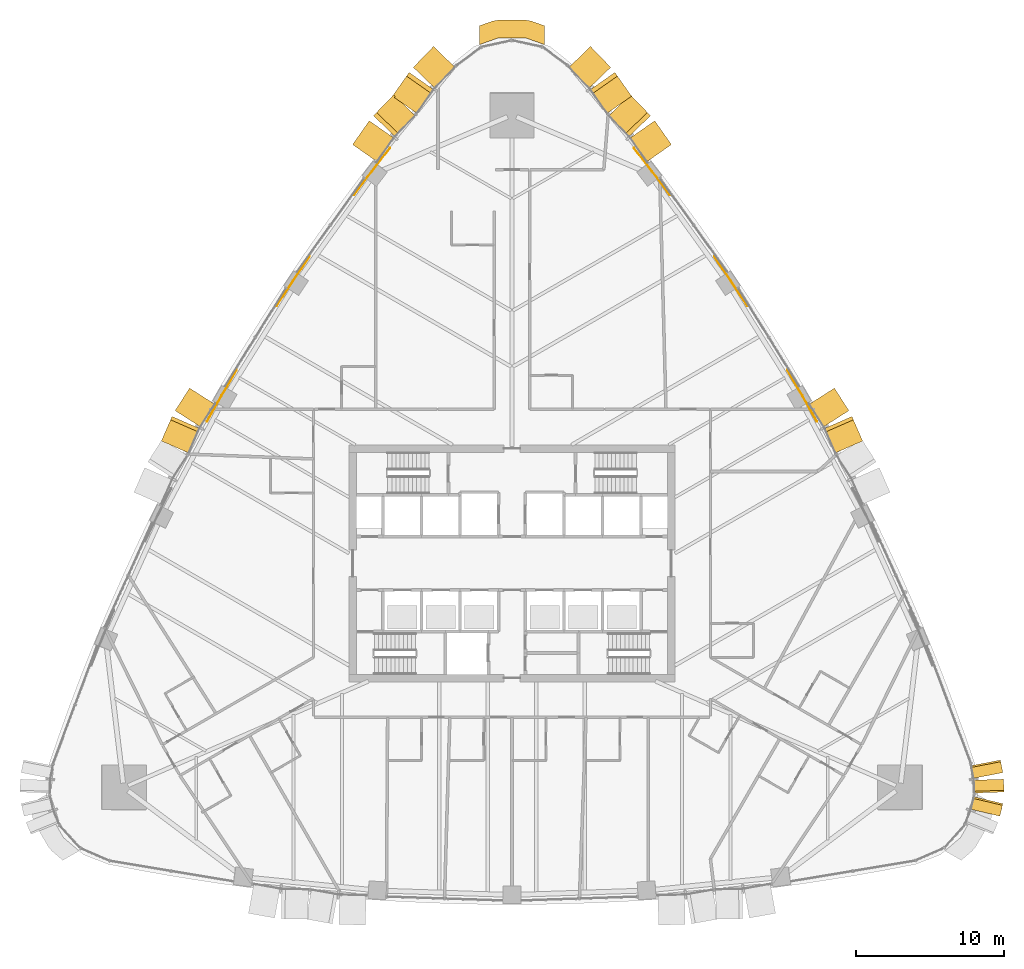
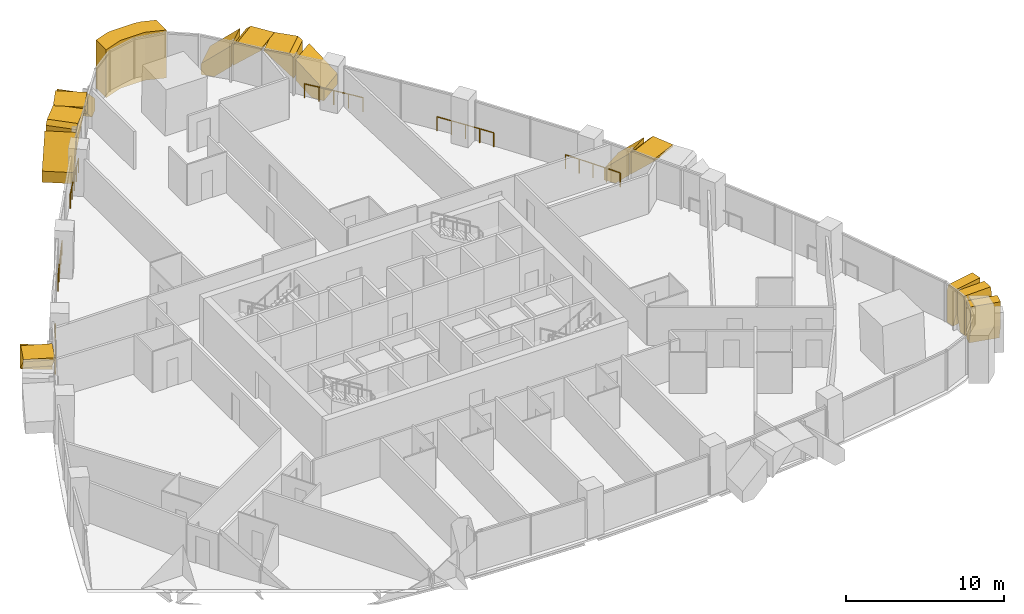
# One storey, part 17 of 18: 16 coverings, 6 railings.
"""IFC4 building model written with IfcOpenShell, lengths in metres."""

from ifc_helpers import new_model, si_unit, direction, frame, origin, origin_2d, place, context, subcontext, project, spatial, polyline, circle, outline, extrude, material, layer, layer_set, type_object, element, save


model = new_model("IFC4")

# Units and contexts
model_context = context("Model", 3, precision=1e-05, world=origin(), true_north=direction((0.0, 1.0)))
body_context = subcontext(model_context, "Body", "Model", "MODEL_VIEW")
ifc_project = project(units=[si_unit("LENGTHUNIT", "METRE"), si_unit("AREAUNIT", "SQUARE_METRE"), si_unit("VOLUMEUNIT", "CUBIC_METRE"), si_unit("PLANEANGLEUNIT", "RADIAN"), si_unit("MASSUNIT", "GRAM", prefix="KILO")], contexts=[model_context])

# Site, building, storey
site_placement = place(None, origin())
site = spatial("IfcSite", under=ifc_project, at=site_placement, CompositionType="ELEMENT")
building_placement = place(site_placement, origin())
building = spatial("IfcBuilding", under=site, at=building_placement, Name="Sierra Prisma Convention Tower", CompositionType="ELEMENT")
storey_placement = place(building_placement, frame((0.0, 0.0, 81.300048828125)))
storey = spatial("IfcBuildingStorey", under=building, at=storey_placement, Name="L16", CompositionType="ELEMENT", Elevation=81.300048828125)

# Coverings
ifc_material_1 = material(Name="Aluminium composite bronze anodised", Category="aluminium")
ifc_layer_1 = layer(ifc_material_1, 1.199951171875)
ifc_layer_set_1 = layer_set([ifc_layer_1], Name="Bronze corner pier")
covering_type_1 = type_object("IfcCoveringType", Name="Bronze corner pier", PredefinedType="CLADDING", material=ifc_layer_set_1)
covering_1_placement = place(storey_placement, frame((0.0, 0.0, -0.60009765625)))
element("IfcCovering", 1, at=covering_1_placement, inside=storey, type_object=covering_type_1, Name="Corner pier N L16.1", PredefinedType="CLADDING", context=body_context, shape_type="SweptSolid", body=[
    extrude(outline(polyline([(-1.2919921875, 36.621826171875), (-0.892578125, 36.690185546875), (0.892578125, 36.690185546875), (1.2919921875, 36.621826171875), (2.199951171875, 36.301513671875), (2.199951171875, 35.02880859375), (0.892578125, 35.490234375), (-0.892578125, 35.490234375), (-2.199951171875, 35.02880859375), (-2.199951171875, 36.301513671875), (-1.2919921875, 36.621826171875)])), origin(), (0.0, 0.0, 1.0), 3.699951171875),
])
ifc_material_2 = material(Name="Aluminium 6063-T6 bronze anodised", Category="aluminium")
ifc_layer_2 = layer(ifc_material_2, 2.0)
ifc_layer_set_2 = layer_set([ifc_layer_2], Name="Bronze crystal chevron frame")
covering_type_2 = type_object("IfcCoveringType", Name="Bronze crystal chevron frame", PredefinedType="CLADDING", material=ifc_layer_set_2)
covering_2_placement = place(storey_placement, frame((32.94482421875, -17.071533203125, 2.97998046875), z_axis=(0.972973298584, -0.230917644717, 4.0023107e-05), x_axis=(3.8941414e-05, -9.242042e-06, -0.999999999199)))
element("IfcCovering", 2, at=covering_2_placement, inside=storey, type_object=covering_type_2, Name="CW-2 chevron frame SE3.1.2", PredefinedType="CLADDING", context=body_context, shape_type="SweptSolid", body=[
    extrude(outline(polyline([(0.0, 0.0), (1.8369140610287704, 0.0), (2.9799804661765776, 0.3066258517682885), (2.9799804670173984, 0.8679438547266685), (0.44165039092540936, 0.8679438547266685), (-8.656456409829303e-09, 0.7494533539519705), (0.0, 0.0)])), origin(), (0.0, 0.0, -1.0), 2.0),
])
covering_3_placement = place(storey_placement, frame((33.223388671875, -15.442626953125, 0.0), z_axis=(0.999420659782, 0.034034462447, -1.2921085e-05), x_axis=(-0.03403446245, 0.999420659865, 1.25e-09)))
element("IfcCovering", 3, at=covering_3_placement, inside=storey, type_object=covering_type_2, Name="CW-2 chevron frame SE4.1.1", PredefinedType="CLADDING", context=body_context, shape_type="SweptSolid", body=[
    extrude(outline(polyline([(0.0, 0.0), (0.5611142440873692, 5.293955920339377e-23), (0.8679345166774394, 1.1430664050524233), (0.8679345189736479, 2.9799804673990824), (0.11847255534468862, 2.9799804699808465), (3.1730037085856265e-09, 2.538330077913107), (0.0, 0.0)])), origin(), (0.0, 0.0, -1.0), 2.0),
])
covering_4_placement = place(storey_placement, frame((33.14404296875, -14.134521484375, 2.97998046875), z_axis=(0.981818776732, 0.189820677484, -7.446558e-06), x_axis=(-7.31117e-06, -1.413511e-06, -0.999999999972)))
element("IfcCovering", 4, at=covering_4_placement, inside=storey, type_object=covering_type_2, Name="CW-2 chevron frame SE4.1.2", PredefinedType="CLADDING", context=body_context, shape_type="SweptSolid", body=[
    extrude(outline(polyline([(0.0, 0.0), (1.8369140624490705, 0.0), (2.9799804694236176, 0.3068680450295788), (2.9799804687831655, 0.8680806413507471), (0.4416503907285424, 0.8680806413507471), (5.105416998188854e-10, 0.7494793086253339), (0.0, 0.0)])), origin(), (0.0, 0.0, -1.0), 2.0),
])
covering_5_placement = place(storey_placement, frame((23.678955078125, 8.26123046875, 2.97998046875), z_axis=(0.916344860368, 0.400389921823, 8.5903806e-05), x_axis=(7.8717511e-05, 3.4395018e-05, -0.99999999631)))
element("IfcCovering", 5, at=covering_5_placement, inside=storey, type_object=covering_type_2, Name="CW-2 chevron frame NE3.2.1", PredefinedType="CLADDING", context=body_context, shape_type="SweptSolid", body=[
    extrude(outline(polyline([(0.0, 0.0), (0.16796874938024034, -1.138200522872966e-21), (1.898193354122357, 1.807976652340725), (0.2373046883755907, 1.807976652340725), (-1.3495987254652736e-08, 1.5600090310002837), (0.0, 0.0)])), origin(), (0.0, 0.0, -1.0), 2.0),
])
covering_6_placement = place(storey_placement, frame((21.77197265625, 11.83251953125, 0.0), z_axis=(0.84248632755, 0.538717725246, 1.9933337e-05), x_axis=(-1.6793564e-05, -1.0738442e-05, 0.999999999801)))
element("IfcCovering", 6, at=covering_6_placement, inside=storey, type_object=covering_type_2, Name="CW-2 chevron frame NE3.2.2", PredefinedType="CLADDING", context=body_context, shape_type="SweptSolid", body=[
    extrude(outline(polyline([(0.0, 0.0), (0.887939452948594, 0.0), (2.618164062360214, 1.8082515647251172), (0.957275390815181, 1.8082515647251172), (-1.0127460409666846e-09, 0.8079554653271677), (0.0, 0.0)])), origin(), (0.0, 0.0, -1.0), 2.0),
])
covering_7_placement = place(storey_placement, frame((10.76318359375, 28.277587890625, 0.0), z_axis=(0.819204027805, 0.573502188498, 2.483496e-05), x_axis=(-0.573502188675, 0.819204028057, -1.796e-09)))
element("IfcCovering", 7, at=covering_7_placement, inside=storey, type_object=covering_type_2, Name="CW-2 chevron frame NE6.1.1", PredefinedType="CLADDING", context=body_context, shape_type="SweptSolid", body=[
    extrude(outline(polyline([(0.0, 0.0), (0.8442528934639407, -1.6940658945086007e-21), (1.9615964333005054, 0.9904785194539708), (1.9615964304197504, 2.5942382845843914), (-1.5357594578332078e-09, 0.8549804684863347), (0.0, 0.0)])), origin(), (0.0, 0.0, -1.0), 2.0),
])
covering_8_placement = place(storey_placement, frame((9.35595703125, 30.226806640625, 2.70947265625), z_axis=(0.719381746567, 0.69461493123, -4.309496e-06), x_axis=(-3.100173e-06, -2.993441e-06, -0.999999999991)))
element("IfcCovering", 8, at=covering_8_placement, inside=storey, type_object=covering_type_2, Name="CW-2 chevron frame NE6.1.2", PredefinedType="CLADDING", context=body_context, shape_type="SweptSolid", body=[
    extrude(outline(polyline([(0.0, 0.0), (1.6037597656101077, 0.0), (-0.1354980468787656, 1.9615899478580154), (-0.2705078125025119, 1.9615899478580154), (-0.2705078125348039, 0.30509031994213054), (0.0, 0.0)])), origin(), (0.0, 0.0, -1.0), 2.0),
])
covering_9_placement = place(storey_placement, frame((8.072265625, 31.542236328125, 2.97998046875), z_axis=(0.819197693783, 0.573511236492, -1.084329e-05), x_axis=(-8.882798e-06, -6.218749e-06, -0.999999999941)))
element("IfcCovering", 9, at=covering_9_placement, inside=storey, type_object=covering_type_2, Name="CW-2 chevron frame NE6.2.1", PredefinedType="CLADDING", context=body_context, shape_type="SweptSolid", body=[
    extrude(outline(polyline([(0.0, 0.0), (0.135009765617063, 0.0), (1.8742675780466203, 1.9615964352316932), (0.2705078125159028, 1.9615964352316932), (-2.0443919023187122e-10, 1.656404541903488), (0.0, 0.0)])), origin(), (0.0, 0.0, -1.0), 2.0),
])
covering_10_placement = place(storey_placement, frame((5.302490234375, 34.902587890625, 0.0), z_axis=(0.719389428981, 0.694606974512, -2.0727254e-05), x_axis=(1.4910967e-05, 1.4397295e-05, 0.999999999785)))
element("IfcCovering", 10, at=covering_10_placement, inside=storey, type_object=covering_type_2, Name="CW-2 chevron frame NE6.2.2", PredefinedType="CLADDING", context=body_context, shape_type="SweptSolid", body=[
    extrude(outline(polyline([(0.0, 0.0), (0.854980468566342, 0.0), (2.5942382811182614, 1.9615899477509298), (0.9904785158377641, 1.9615899477509298), (-1.0563216294218512e-09, 0.8443083136781067), (0.0, 0.0)])), origin(), (0.0, 0.0, -1.0), 2.0),
])
covering_11_placement = place(storey_placement, frame((-5.302490234375, 34.902587890625, 0.0), z_axis=(-0.719389428981, 0.694606974512, -2.0727254e-05), x_axis=(-0.694606974661, -0.719389429136, -1.251e-09)))
element("IfcCovering", 11, at=covering_11_placement, inside=storey, type_object=covering_type_2, Name="CW-2 chevron frame NW1.1.1", PredefinedType="CLADDING", context=body_context, shape_type="SweptSolid", body=[
    extrude(outline(polyline([(0.0, 0.0), (0.8443083136781065, 1.6940658945086007e-21), (1.9615899465117328, 0.9904785182919268), (1.9615899445052547, 2.594238283572424), (-1.0696736571791107e-09, 0.854980468566342), (0.0, 0.0)])), origin(), (0.0, 0.0, -1.0), 2.0),
])
covering_12_placement = place(storey_placement, frame((-6.947265625, 33.149169921875, 2.70947265625), z_axis=(-0.819197693783, 0.573511236492, -1.084329e-05), x_axis=(8.882798e-06, -6.218749e-06, -0.999999999941)))
element("IfcCovering", 12, at=covering_12_placement, inside=storey, type_object=covering_type_2, Name="CW-2 chevron frame NW1.1.2", PredefinedType="CLADDING", context=body_context, shape_type="SweptSolid", body=[
    extrude(outline(polyline([(0.0, 0.0), (1.6037597655307174, 0.0), (-0.13549804689883976, 1.9615964352316932), (-0.2705078125159028, 1.9615964352316932), (-0.27050781272034197, 0.30519189332820545), (0.0, 0.0)])), origin(), (0.0, 0.0, -1.0), 2.0),
])
covering_13_placement = place(storey_placement, frame((-7.993408203125, 31.637939453125, 2.97998046875), z_axis=(-0.719381746567, 0.69461493123, -4.309496e-06), x_axis=(3.100173e-06, -2.993441e-06, -0.999999999991)))
element("IfcCovering", 13, at=covering_13_placement, inside=storey, type_object=covering_type_2, Name="CW-2 chevron frame NW1.2.1", PredefinedType="CLADDING", context=body_context, shape_type="SweptSolid", body=[
    extrude(outline(polyline([(0.0, 0.0), (0.1350097656237463, 0.0), (1.8742675781126195, 1.9615899478580154), (0.2705078125025119, 1.9615899478580154), (-3.229201040604824e-11, 1.656499627915885), (0.0, 0.0)])), origin(), (0.0, 0.0, -1.0), 2.0),
])
covering_14_placement = place(storey_placement, frame((-10.76318359375, 28.277587890625, 0.0), z_axis=(-0.819204027805, 0.573502188498, 2.483496e-05), x_axis=(2.0344899e-05, -1.4242904e-05, 0.999999999692)))
element("IfcCovering", 14, at=covering_14_placement, inside=storey, type_object=covering_type_2, Name="CW-2 chevron frame NW1.2.2", PredefinedType="CLADDING", context=body_context, shape_type="SweptSolid", body=[
    extrude(outline(polyline([(0.0, 0.0), (0.8549804684863347, 0.0), (2.5942382810608717, 1.9615964350796533), (0.9904785159304513, 1.9615964350796533), (-1.5164900412710476e-09, 0.8442528934639407), (0.0, 0.0)])), origin(), (0.0, 0.0, -1.0), 2.0),
])
covering_15_placement = place(storey_placement, frame((-21.77197265625, 11.83251953125, 0.0), z_axis=(-0.842452769878, 0.538770201964, 1.88278e-07), x_axis=(-0.538770201964, -0.842452769878, 0.0)))
element("IfcCovering", 15, at=covering_15_placement, inside=storey, type_object=covering_type_2, Name="CW-2 chevron frame NW4.1.1", PredefinedType="CLADDING", context=body_context, shape_type="SweptSolid", body=[
    extrude(outline(polyline([(0.0, 0.0), (0.8079554669244621, 0.0), (1.8080458830827206, 0.9572753906252194), (1.8080458830825348, 2.6181640625001905), (-9.929649554672763e-14, 0.8879394531249845), (0.0, 0.0)])), origin(), (0.0, 0.0, -1.0), 2.0),
])
covering_16_placement = place(storey_placement, frame((-22.955078125, 9.91796875, 2.74267578125), z_axis=(-0.91634738938, 0.400384141225, 3.7832142e-05), x_axis=(-3.4667385e-05, 1.514739e-05, -0.999999999284)))
element("IfcCovering", 16, at=covering_16_placement, inside=storey, type_object=covering_type_2, Name="CW-2 chevron frame NW4.1.2", PredefinedType="CLADDING", context=body_context, shape_type="SweptSolid", body=[
    extrude(outline(polyline([(0.0, 0.0), (1.6611328113112345, -2.8140684439054e-21), (-0.06933593779002806, 1.8079766524333598), (-0.23730468766982366, 1.8079766524333598), (-0.23730469028776363, 0.24774390483088532), (0.0, 0.0)])), origin(), (0.0, 0.0, -1.0), 2.0),
])

# Railings
ifc_material_3 = material(Name="Bronze anodised aluminium", Category="aluminium")
railing_type = type_object("IfcRailingType", Name="Facade guard 1100", PredefinedType="GUARDRAIL", material=ifc_material_3)
railing_1_placement = place(storey_placement, frame((20.59521484375, 9.583984375, 0.0)))
element("IfcRailing", 17, at=railing_1_placement, inside=storey, type_object=railing_type, Name="Facade guard", PredefinedType="GUARDRAIL", context=body_context, shape_type="SweptSolid", body=[
    extrude(circle(Radius=0.02392578125, at=origin_2d()), frame((0.0, 0.0, 1.076171875), z_axis=(-0.493284731341, 0.869867905964, 0.0), x_axis=(-0.869867905964, -0.493284731341, 0.0)), (0.0, 0.0, 1.0), 0.995849609375),
    extrude(circle(Radius=0.02392578125, at=origin_2d()), frame((-0.4912109375, 0.8662109375, 1.076171875), z_axis=(-0.493790674532, 0.869580801159, 0.0), x_axis=(-0.869580801159, -0.493790674532, 0.0)), (0.0, 0.0, 1.0), 0.997314453125),
    extrude(circle(Radius=0.02392578125, at=origin_2d()), frame((-0.983642578125, 1.7333984375, 1.076171875), z_axis=(-0.506046181078, 0.862506384102, 0.0), x_axis=(-0.862506384102, -0.506046181078, 0.0)), (0.0, 0.0, 1.0), 0.997314453125),
    extrude(circle(Radius=0.02392578125, at=origin_2d()), frame((-1.48828125, 2.593505859375, 1.076171875), z_axis=(-0.506580932349, 0.862192414128, 0.0), x_axis=(-0.862192414128, -0.506580932349, 0.0)), (0.0, 0.0, 1.0), 0.99609375),
    extrude(circle(Radius=0.02099609375, at=origin_2d()), origin(), (0.0, 0.0, 1.0), 1.052001953125),
    extrude(circle(Radius=0.02099609375, at=origin_2d()), frame((-0.4912109375, 0.8662109375, 0.0)), (0.0, 0.0, 1.0), 1.052001953125),
    extrude(circle(Radius=0.02099609375, at=origin_2d()), frame((-0.983642578125, 1.7333984375, 0.0)), (0.0, 0.0, 1.0), 1.052001953125),
    extrude(circle(Radius=0.02099609375, at=origin_2d()), frame((-1.48828125, 2.593505859375, 0.0)), (0.0, 0.0, 1.0), 1.052001953125),
    extrude(circle(Radius=0.02099609375, at=origin_2d()), frame((-1.992919921875, 3.452392578125, 0.0)), (0.0, 0.0, 1.0), 1.052001953125),
])
railing_2_placement = place(storey_placement, frame((15.88427734375, 17.397705078125, 0.0)))
element("IfcRailing", 18, at=railing_2_placement, inside=storey, type_object=railing_type, Name="Facade guard", PredefinedType="GUARDRAIL", context=body_context, shape_type="SweptSolid", body=[
    extrude(circle(Radius=0.02392578125, at=origin_2d()), frame((0.0, 0.0, 1.076171875), z_axis=(-0.546058053708, 0.837747337794, 0.0), x_axis=(-0.837747337794, -0.546058053708, 0.0)), (0.0, 0.0, 1.0), 0.994384765625),
    extrude(circle(Radius=0.02392578125, at=origin_2d()), frame((-0.54296875, 0.8330078125, 1.076171875), z_axis=(-0.554249352898, 0.832350680189, 0.0), x_axis=(-0.832350680189, -0.554249352898, 0.0)), (0.0, 0.0, 1.0), 1.0),
    extrude(circle(Radius=0.02392578125, at=origin_2d()), frame((-1.09716796875, 1.665283203125, 1.076171875), z_axis=(-0.558490079828, 0.829511199885, 0.0), x_axis=(-0.829511199885, -0.558490079828, 0.0)), (0.0, 0.0, 1.0), 0.994384765625),
    extrude(circle(Radius=0.02392578125, at=origin_2d()), frame((-1.652587890625, 2.490234375, 1.076171875), z_axis=(-0.565917344721, 0.824461981503, 0.0), x_axis=(-0.824461981503, -0.565917344721, 0.0)), (0.0, 0.0, 1.0), 1.0),
    extrude(circle(Radius=0.02099609375, at=origin_2d()), origin(), (0.0, 0.0, 1.0), 1.052001953125),
    extrude(circle(Radius=0.02099609375, at=origin_2d()), frame((-0.54296875, 0.8330078125, 0.0)), (0.0, 0.0, 1.0), 1.052001953125),
    extrude(circle(Radius=0.02099609375, at=origin_2d()), frame((-1.09716796875, 1.665283203125, 0.0)), (0.0, 0.0, 1.0), 1.052001953125),
    extrude(circle(Radius=0.02099609375, at=origin_2d()), frame((-1.652587890625, 2.490234375, 0.0)), (0.0, 0.0, 1.0), 1.052001953125),
    extrude(circle(Radius=0.02099609375, at=origin_2d()), frame((-2.218505859375, 3.314697265625, 0.0)), (0.0, 0.0, 1.0), 1.052001953125),
])
railing_3_placement = place(storey_placement, frame((10.669189453125, 24.882568359375, 0.0)))
element("IfcRailing", 19, at=railing_3_placement, inside=storey, type_object=railing_type, Name="Facade guard", PredefinedType="GUARDRAIL", context=body_context, shape_type="SweptSolid", body=[
    extrude(circle(Radius=0.02392578125, at=origin_2d()), frame((0.0, 0.0, 1.076171875), z_axis=(-0.600703030251, 0.799472244326, 0.0), x_axis=(-0.799472244326, -0.600703030251, 0.0)), (0.0, 0.0, 1.0), 0.999755859375),
    extrude(circle(Radius=0.02392578125, at=origin_2d()), frame((-0.6005859375, 0.79931640625, 1.076171875), z_axis=(-0.608178937777, 0.793799961983, 0.0), x_axis=(-0.793799961983, -0.608178937777, 0.0)), (0.0, 0.0, 1.0), 0.994384765625),
    extrude(circle(Radius=0.02392578125, at=origin_2d()), frame((-1.205322265625, 1.588623046875, 1.076171875), z_axis=(-0.611961468532, 0.790887577999, 0.0), x_axis=(-0.790887577999, -0.611961468532, 0.0)), (0.0, 0.0, 1.0), 1.000244140625),
    extrude(circle(Radius=0.02392578125, at=origin_2d()), frame((-1.8173828125, 2.379638671875, 1.076171875), z_axis=(-0.619771665431, 0.784782188081, 0.0), x_axis=(-0.784782188081, -0.619771665431, 0.0)), (0.0, 0.0, 1.0), 0.994140625),
    extrude(circle(Radius=0.02099609375, at=origin_2d()), origin(), (0.0, 0.0, 1.0), 1.052001953125),
    extrude(circle(Radius=0.02099609375, at=origin_2d()), frame((-0.6005859375, 0.79931640625, 0.0)), (0.0, 0.0, 1.0), 1.052001953125),
    extrude(circle(Radius=0.02099609375, at=origin_2d()), frame((-1.205322265625, 1.588623046875, 0.0)), (0.0, 0.0, 1.0), 1.052001953125),
    extrude(circle(Radius=0.02099609375, at=origin_2d()), frame((-1.8173828125, 2.379638671875, 0.0)), (0.0, 0.0, 1.0), 1.052001953125),
    extrude(circle(Radius=0.02099609375, at=origin_2d()), frame((-2.43359375, 3.159912109375, 0.0)), (0.0, 0.0, 1.0), 1.052001953125),
])
railing_4_placement = place(storey_placement, frame((-8.235595703125, 28.04248046875, 0.0)))
element("IfcRailing", 20, at=railing_4_placement, inside=storey, type_object=railing_type, Name="Facade guard", PredefinedType="GUARDRAIL", context=body_context, shape_type="SweptSolid", body=[
    extrude(circle(Radius=0.02392578125, at=origin_2d()), frame((0.0, 0.0, 1.076171875), z_axis=(-0.619771665431, -0.784782188081, 0.0), x_axis=(0.784782188081, -0.619771665431, 0.0)), (0.0, 0.0, 1.0), 0.994140625),
    extrude(circle(Radius=0.02392578125, at=origin_2d()), frame((-0.6162109375, -0.7802734375, 1.076171875), z_axis=(-0.611961468532, -0.790887577999, 0.0), x_axis=(0.790887577999, -0.611961468532, 0.0)), (0.0, 0.0, 1.0), 1.000244140625),
    extrude(circle(Radius=0.02392578125, at=origin_2d()), frame((-1.228271484375, -1.5712890625, 1.076171875), z_axis=(-0.608178937777, -0.793799961983, 0.0), x_axis=(0.793799961983, -0.608178937777, 0.0)), (0.0, 0.0, 1.0), 0.994384765625),
    extrude(circle(Radius=0.02392578125, at=origin_2d()), frame((-1.8330078125, -2.360595703125, 1.076171875), z_axis=(-0.600703030251, -0.799472244326, 0.0), x_axis=(0.799472244326, -0.600703030251, 0.0)), (0.0, 0.0, 1.0), 0.999755859375),
    extrude(circle(Radius=0.02099609375, at=origin_2d()), origin(), (0.0, 0.0, 1.0), 1.052001953125),
    extrude(circle(Radius=0.02099609375, at=origin_2d()), frame((-0.6162109375, -0.7802734375, 0.0)), (0.0, 0.0, 1.0), 1.052001953125),
    extrude(circle(Radius=0.02099609375, at=origin_2d()), frame((-1.228271484375, -1.5712890625, 0.0)), (0.0, 0.0, 1.0), 1.052001953125),
    extrude(circle(Radius=0.02099609375, at=origin_2d()), frame((-1.8330078125, -2.360595703125, 0.0)), (0.0, 0.0, 1.0), 1.052001953125),
    extrude(circle(Radius=0.02099609375, at=origin_2d()), frame((-2.43359375, -3.159912109375, 0.0)), (0.0, 0.0, 1.0), 1.052001953125),
])
railing_5_placement = place(storey_placement, frame((-13.665771484375, 20.71240234375, 0.0)))
element("IfcRailing", 21, at=railing_5_placement, inside=storey, type_object=railing_type, Name="Facade guard", PredefinedType="GUARDRAIL", context=body_context, shape_type="SweptSolid", body=[
    extrude(circle(Radius=0.02392578125, at=origin_2d()), frame((0.0, 0.0, 1.076171875), z_axis=(-0.565917344721, -0.824461981503, 0.0), x_axis=(0.824461981503, -0.565917344721, 0.0)), (0.0, 0.0, 1.0), 1.0),
    extrude(circle(Radius=0.02392578125, at=origin_2d()), frame((-0.56591796875, -0.824462890625, 1.076171875), z_axis=(-0.558490079828, -0.829511199885, 0.0), x_axis=(0.829511199885, -0.558490079828, 0.0)), (0.0, 0.0, 1.0), 0.994384765625),
    extrude(circle(Radius=0.02392578125, at=origin_2d()), frame((-1.121337890625, -1.6494140625, 1.076171875), z_axis=(-0.554249352898, -0.832350680189, 0.0), x_axis=(0.832350680189, -0.554249352898, 0.0)), (0.0, 0.0, 1.0), 1.0),
    extrude(circle(Radius=0.02392578125, at=origin_2d()), frame((-1.675537109375, -2.481689453125, 1.076171875), z_axis=(-0.546058053708, -0.837747337794, 0.0), x_axis=(0.837747337794, -0.546058053708, 0.0)), (0.0, 0.0, 1.0), 0.994384765625),
    extrude(circle(Radius=0.02099609375, at=origin_2d()), origin(), (0.0, 0.0, 1.0), 1.052001953125),
    extrude(circle(Radius=0.02099609375, at=origin_2d()), frame((-0.56591796875, -0.824462890625, 0.0)), (0.0, 0.0, 1.0), 1.052001953125),
    extrude(circle(Radius=0.02099609375, at=origin_2d()), frame((-1.121337890625, -1.6494140625, 0.0)), (0.0, 0.0, 1.0), 1.052001953125),
    extrude(circle(Radius=0.02099609375, at=origin_2d()), frame((-1.675537109375, -2.481689453125, 0.0)), (0.0, 0.0, 1.0), 1.052001953125),
    extrude(circle(Radius=0.02099609375, at=origin_2d()), frame((-2.218505859375, -3.314697265625, 0.0)), (0.0, 0.0, 1.0), 1.052001953125),
])
railing_6_placement = place(storey_placement, frame((-18.602294921875, 13.036376953125, 0.0)))
element("IfcRailing", 22, at=railing_6_placement, inside=storey, type_object=railing_type, Name="Facade guard", PredefinedType="GUARDRAIL", context=body_context, shape_type="SweptSolid", body=[
    extrude(circle(Radius=0.02392578125, at=origin_2d()), frame((0.0, 0.0, 1.076171875), z_axis=(-0.506580932349, -0.862192414128, 0.0), x_axis=(0.862192414128, -0.506580932349, 0.0)), (0.0, 0.0, 1.0), 0.99609375),
    extrude(circle(Radius=0.02392578125, at=origin_2d()), frame((-0.504638671875, -0.85888671875, 1.076171875), z_axis=(-0.506046181078, -0.862506384102, 0.0), x_axis=(0.862506384102, -0.506046181078, 0.0)), (0.0, 0.0, 1.0), 0.997314453125),
    extrude(circle(Radius=0.02392578125, at=origin_2d()), frame((-1.00927734375, -1.718994140625, 1.076171875), z_axis=(-0.493790674532, -0.869580801159, 0.0), x_axis=(0.869580801159, -0.493790674532, 0.0)), (0.0, 0.0, 1.0), 0.997314453125),
    extrude(circle(Radius=0.02392578125, at=origin_2d()), frame((-1.501708984375, -2.586181640625, 1.076171875), z_axis=(-0.493284731341, -0.869867905964, 0.0), x_axis=(0.869867905964, -0.493284731341, 0.0)), (0.0, 0.0, 1.0), 0.995849609375),
    extrude(circle(Radius=0.02099609375, at=origin_2d()), origin(), (0.0, 0.0, 1.0), 1.052001953125),
    extrude(circle(Radius=0.02099609375, at=origin_2d()), frame((-0.504638671875, -0.85888671875, 0.0)), (0.0, 0.0, 1.0), 1.052001953125),
    extrude(circle(Radius=0.02099609375, at=origin_2d()), frame((-1.00927734375, -1.718994140625, 0.0)), (0.0, 0.0, 1.0), 1.052001953125),
    extrude(circle(Radius=0.02099609375, at=origin_2d()), frame((-1.501708984375, -2.586181640625, 0.0)), (0.0, 0.0, 1.0), 1.052001953125),
    extrude(circle(Radius=0.02099609375, at=origin_2d()), frame((-1.992919921875, -3.452392578125, 0.0)), (0.0, 0.0, 1.0), 1.052001953125),
])

save(model, "model.ifc")
